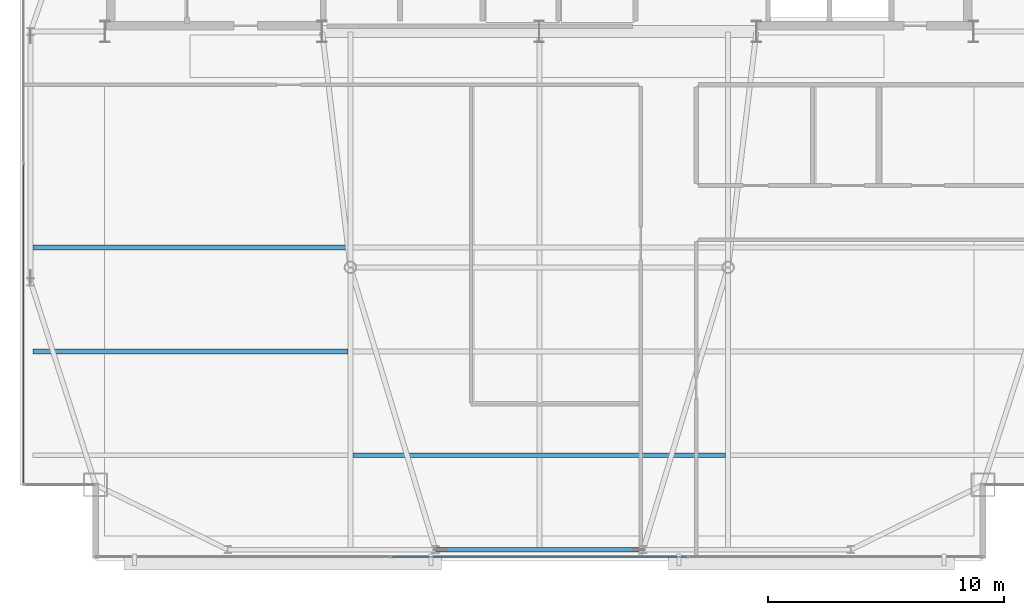
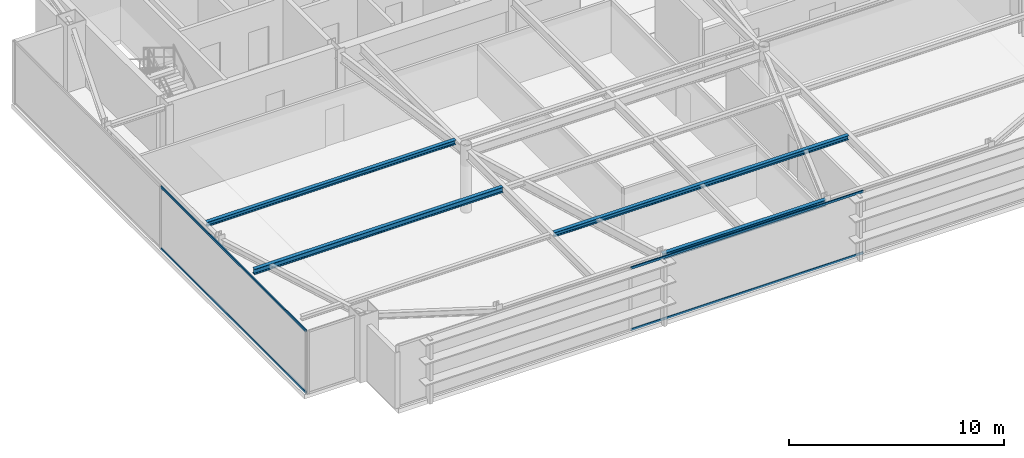
# One storey, part 7 of 24: 4 beams, 4 members, 2 elements without a shape of their own.
"""IFC4 building model written with IfcOpenShell, lengths in metres."""

from ifc_helpers import new_model, si_unit, direction, frame, origin, origin_2d, place, context, subcontext, project, spatial, hollow_rectangle, i_section, extrude, source, transform, mapped, material, layer, layer_set, material_profile, profile_set, type_object, type_shapes, element, aggregate, save


model = new_model("IFC4")

# Units and contexts
model_context = context("Model", 3, precision=1e-05, world=origin(), true_north=direction((0.0, 1.0)))
body_context = subcontext(model_context, "Body", "Model", "MODEL_VIEW")
ifc_project = project(units=[si_unit("LENGTHUNIT", "METRE"), si_unit("AREAUNIT", "SQUARE_METRE"), si_unit("VOLUMEUNIT", "CUBIC_METRE"), si_unit("PLANEANGLEUNIT", "RADIAN"), si_unit("MASSUNIT", "GRAM", prefix="KILO")], contexts=[model_context])

# Site, building, storey
site_placement = place(None, origin())
site = spatial("IfcSite", under=ifc_project, at=site_placement, CompositionType="ELEMENT")
building_placement = place(site_placement, origin())
building = spatial("IfcBuilding", under=site, at=building_placement, Name="Varnel Quay Broadcast Tower", CompositionType="ELEMENT")
storey_placement = place(building_placement, frame((0.0, 0.0, 269.800048828125)))
storey = spatial("IfcBuildingStorey", under=building, at=storey_placement, Name="L67", CompositionType="ELEMENT", Elevation=269.800048828125)

# Beams
ifc_material_1 = material(Name="Structural Steel CSA G40.21 350W", Category="steel")
ifc_material_profile_1 = material_profile(ifc_material_1, i_section(OverallWidth=0.205078125, OverallDepth=0.35400390625, WebThickness=0.009521484375, FlangeThickness=0.016845703125, FilletRadius=0.012939453125, at=origin_2d()), Name="W360X79")
ifc_profile_set_1 = profile_set([ifc_material_profile_1], Name="Structural Steel CSA G40.21 350W")
beam_type_1 = type_object("IfcBeamType", Name="Beam_W360X79", PredefinedType="SPANDREL", material=ifc_profile_set_1)
shared_shape_1 = source(origin(), body_context, "Body", "SweptSolid", [
    extrude(i_section(OverallWidth=0.205078125, OverallDepth=0.35400390625, WebThickness=0.009521484375, FlangeThickness=0.016845703125, FilletRadius=0.012939453125, at=origin_2d()), origin(), (0.0, 0.0, 1.0), 8.759765625),
])
type_shapes(beam_type_1, [shared_shape_1])
beam_1_placement = place(storey_placement, frame((29.6201171875, 13.64990234375, 3.373046875), z_axis=(1.0, 0.0, 0.0), x_axis=(0.0, 1.0, 0.0)))
element("IfcBeam", 1, at=beam_1_placement, inside=storey, type_object=beam_type_1, Name="L67 South Spandrel TC-S2-TC-S3", PredefinedType="SPANDREL", context=body_context, shape_type="MappedRepresentation", body=[
    mapped(shared_shape_1, transform((0.0, 0.0, 0.0), x_axis=(1.0, 0.0, 0.0), y_axis=(0.0, 1.0, 0.0), z_axis=(0.0, 0.0, 1.0), scale=1.0)),
])
ifc_material_profile_2 = material_profile(ifc_material_1, i_section(OverallWidth=0.201904296875, OverallDepth=0.2470703125, WebThickness=0.00732421875, FlangeThickness=0.010986328125, FilletRadius=0.010986328125, at=origin_2d()), Name="W250X49")
ifc_profile_set_2 = profile_set([ifc_material_profile_2], Name="Structural Steel CSA G40.21 350W")
beam_type_2 = type_object("IfcBeamType", Name="Beam_W250X49", PredefinedType="JOIST", material=ifc_profile_set_2)
shared_shape_2 = source(origin(), body_context, "Body", "SweptSolid", [
    extrude(i_section(OverallWidth=0.201904296875, OverallDepth=0.2470703125, WebThickness=0.00732421875, FlangeThickness=0.010986328125, FilletRadius=0.010986328125, at=origin_2d()), origin(), (0.0, 0.0, 1.0), 13.351318359375),
])
beam_2_placement = place(storey_placement, frame((12.547607421875, 26.449951171875, 3.426513671875), z_axis=(1.0, 0.0, 0.0), x_axis=(0.0, 1.0, 0.0)))
element("IfcBeam", 2, at=beam_2_placement, inside=storey, type_object=beam_type_2, Name="L67 West Floor Joist 3", PredefinedType="JOIST", context=body_context, shape_type="MappedRepresentation", body=[
    mapped(shared_shape_2, transform((0.0, 0.0, 0.0), x_axis=(1.0, 0.0, 0.0), y_axis=(0.0, 1.0, 0.0), z_axis=(0.0, 0.0, 1.0), scale=1.0)),
])
shared_shape_3 = source(origin(), body_context, "Body", "SweptSolid", [
    extrude(i_section(OverallWidth=0.201904296875, OverallDepth=0.2470703125, WebThickness=0.00732421875, FlangeThickness=0.010986328125, FilletRadius=0.010986328125, at=origin_2d()), origin(), (0.0, 0.0, 1.0), 15.7978515625),
])
type_shapes(beam_type_2, [shared_shape_2, shared_shape_3])
beam_3_placement = place(storey_placement, frame((26.10107421875, 17.64990234375, 3.426513671875), z_axis=(1.0, 0.0, 0.0), x_axis=(0.0, 1.0, 0.0)))
element("IfcBeam", 3, at=beam_3_placement, inside=storey, type_object=beam_type_2, Name="L67 Central Floor Joist 1", PredefinedType="JOIST", context=body_context, shape_type="MappedRepresentation", body=[
    mapped(shared_shape_3, transform((0.0, 0.0, 0.0), x_axis=(1.0, 0.0, 0.0), y_axis=(0.0, 1.0, 0.0), z_axis=(0.0, 0.0, 1.0), scale=1.0)),
])
ifc_material_profile_3 = material_profile(ifc_material_1, i_section(OverallWidth=0.202880859375, OverallDepth=0.302978515625, WebThickness=0.007568359375, FlangeThickness=0.01318359375, FilletRadius=0.011962890625, at=origin_2d()), Name="W310X60")
ifc_profile_set_3 = profile_set([ifc_material_profile_3], Name="Structural Steel CSA G40.21 350W")
beam_type_3 = type_object("IfcBeamType", Name="Beam_W310X60", PredefinedType="JOIST", material=ifc_profile_set_3)
shared_shape_4 = source(origin(), body_context, "Body", "SweptSolid", [
    extrude(i_section(OverallWidth=0.202880859375, OverallDepth=0.302978515625, WebThickness=0.007568359375, FlangeThickness=0.01318359375, FilletRadius=0.011962890625, at=origin_2d()), origin(), (0.0, 0.0, 1.0), 13.351318359375),
])
type_shapes(beam_type_3, [shared_shape_4])
beam_4_placement = place(storey_placement, frame((12.547607421875, 22.050048828125, 3.3984375), z_axis=(1.0, 0.0, 0.0), x_axis=(0.0, 1.0, 0.0)))
element("IfcBeam", 4, at=beam_4_placement, inside=storey, type_object=beam_type_3, Name="L67 West Floor Joist 2", PredefinedType="JOIST", context=body_context, shape_type="MappedRepresentation", body=[
    mapped(shared_shape_4, transform((0.0, 0.0, 0.0), x_axis=(1.0, 0.0, 0.0), y_axis=(0.0, 1.0, 0.0), z_axis=(0.0, 0.0, 1.0), scale=1.0)),
])

# Curtain wall, members
ifc_material_2 = material(Name="Anodised Bronze Aluminium 6063-T6", Category="aluminium")
ifc_layer = layer(ifc_material_2, 0.18994140625, Name="Anodised Bronze Aluminium 6063-T6")
ifc_layer_set = layer_set([ifc_layer], Name="Anodised Bronze Aluminium 6063-T6")
curtain_wall_type = type_object("IfcCurtainWallType", Name="CW_UpperTower", PredefinedType="NOTDEFINED", material=ifc_layer_set)
curtain_wall_1_placement = place(storey_placement, origin())
curtain_wall_1 = element("IfcCurtainWall", 5, at=curtain_wall_1_placement, inside=storey, type_object=curtain_wall_type, Name="L67 West Unitised Curtain Wall", PredefinedType="NOTDEFINED")
ifc_material_profile_4 = material_profile(ifc_material_2, hollow_rectangle(XDim=0.06005859375, YDim=0.125, WallThickness=0.0029296875, at=origin_2d()), Name="ALU60X125X3")
ifc_profile_set_4 = profile_set([ifc_material_profile_4], Name="Anodised Bronze Aluminium 6063-T6")
member_type = type_object("IfcMemberType", Name="Tran_CWS-03", PredefinedType="USERDEFINED", material=ifc_profile_set_4)
shared_shape_5 = source(origin(), body_context, "Body", "SweptSolid", [
    extrude(hollow_rectangle(XDim=0.06005859375, YDim=0.125, WallThickness=0.0029296875, at=origin_2d()), origin(), (0.0, 0.0, 1.0), 13.50244140625),
])
member_1_placement = place(storey_placement, frame((12.14990234375, 16.465087890625, 0.030029296875), z_axis=(0.0, 1.0, 0.0), x_axis=(-1.0, 0.0, 0.0)))
member_1 = element("IfcMember", 6, at=member_1_placement, type_object=member_type, Name="CWS-03 transom 1.1", ObjectType="TRANSOM", PredefinedType="USERDEFINED", context=body_context, shape_type="MappedRepresentation", body=[
    mapped(shared_shape_5, transform((0.0, 0.0, 0.0), x_axis=(1.0, 0.0, 0.0), y_axis=(0.0, 1.0, 0.0), z_axis=(0.0, 0.0, 1.0), scale=1.0)),
])
member_2_placement = place(storey_placement, frame((12.14990234375, 16.465087890625, 3.52001953125), z_axis=(0.0, 1.0, 0.0), x_axis=(-1.0, 0.0, 0.0)))
member_2 = element("IfcMember", 7, at=member_2_placement, type_object=member_type, Name="CWS-03 transom 1.2", ObjectType="TRANSOM", PredefinedType="USERDEFINED", context=body_context, shape_type="MappedRepresentation", body=[
    mapped(shared_shape_5, transform((0.0, 0.0, 0.0), x_axis=(1.0, 0.0, 0.0), y_axis=(0.0, 1.0, 0.0), z_axis=(0.0, 0.0, 1.0), scale=1.0)),
])
aggregate(curtain_wall_1, [member_1, member_2])

curtain_wall_2_placement = place(storey_placement, origin())
curtain_wall_2 = element("IfcCurtainWall", 8, at=curtain_wall_2_placement, inside=storey, type_object=curtain_wall_type, Name="L67 South Unitised Curtain Wall 1", PredefinedType="NOTDEFINED")
shared_shape_6 = source(origin(), body_context, "Body", "SweptSolid", [
    extrude(hollow_rectangle(XDim=0.06005859375, YDim=0.125, WallThickness=0.0029296875, at=origin_2d()), origin(), (0.0, 0.0, 1.0), 12.46826171875),
])
type_shapes(member_type, [shared_shape_5, shared_shape_6])
member_3_placement = place(storey_placement, frame((27.765869140625, 13.35009765625, 0.030029296875), z_axis=(1.0, 0.0, 0.0), x_axis=(0.0, 1.0, 0.0)))
member_3 = element("IfcMember", 9, at=member_3_placement, type_object=member_type, Name="CWS-03 transom 2.1", ObjectType="TRANSOM", PredefinedType="USERDEFINED", context=body_context, shape_type="MappedRepresentation", body=[
    mapped(shared_shape_6, transform((0.0, 0.0, 0.0), x_axis=(1.0, 0.0, 0.0), y_axis=(0.0, 1.0, 0.0), z_axis=(0.0, 0.0, 1.0), scale=1.0)),
])
member_4_placement = place(storey_placement, frame((27.765869140625, 13.35009765625, 3.52001953125), z_axis=(1.0, 0.0, 0.0), x_axis=(0.0, 1.0, 0.0)))
member_4 = element("IfcMember", 10, at=member_4_placement, type_object=member_type, Name="CWS-03 transom 2.2", ObjectType="TRANSOM", PredefinedType="USERDEFINED", context=body_context, shape_type="MappedRepresentation", body=[
    mapped(shared_shape_6, transform((0.0, 0.0, 0.0), x_axis=(1.0, 0.0, 0.0), y_axis=(0.0, 1.0, 0.0), z_axis=(0.0, 0.0, 1.0), scale=1.0)),
])
aggregate(curtain_wall_2, [member_3, member_4])

save(model, "model.ifc")
